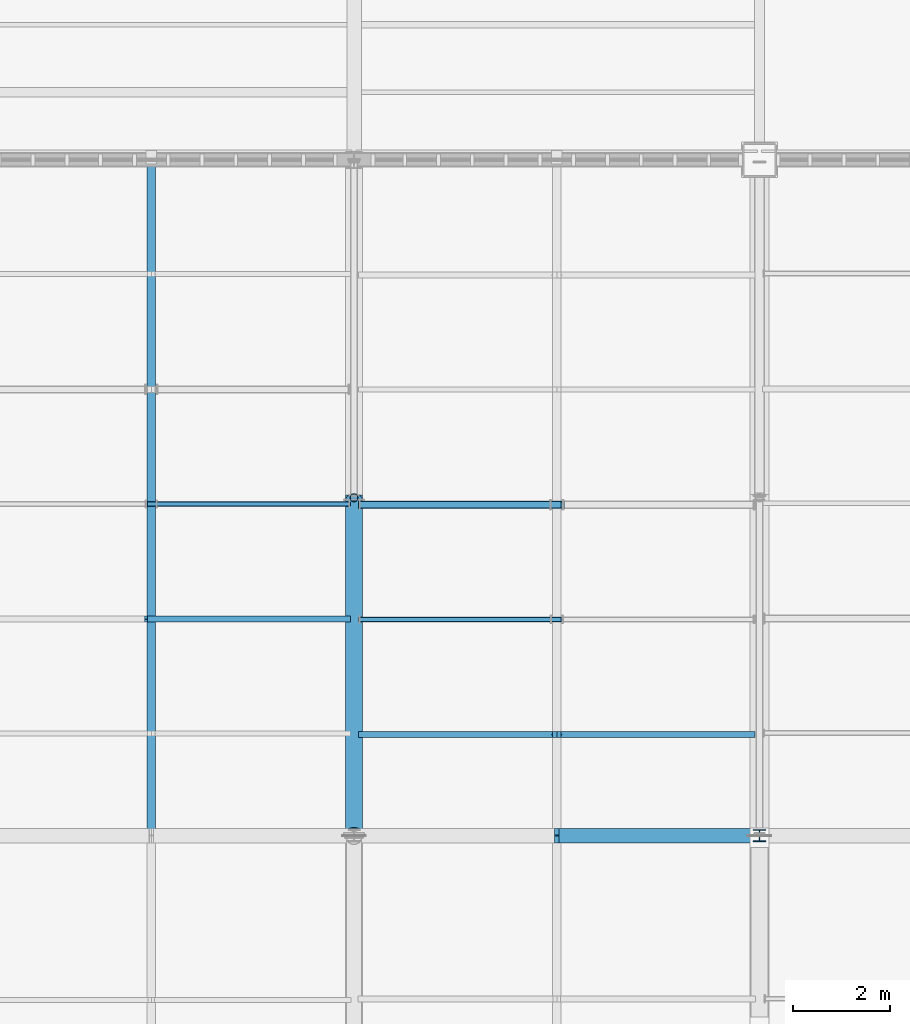
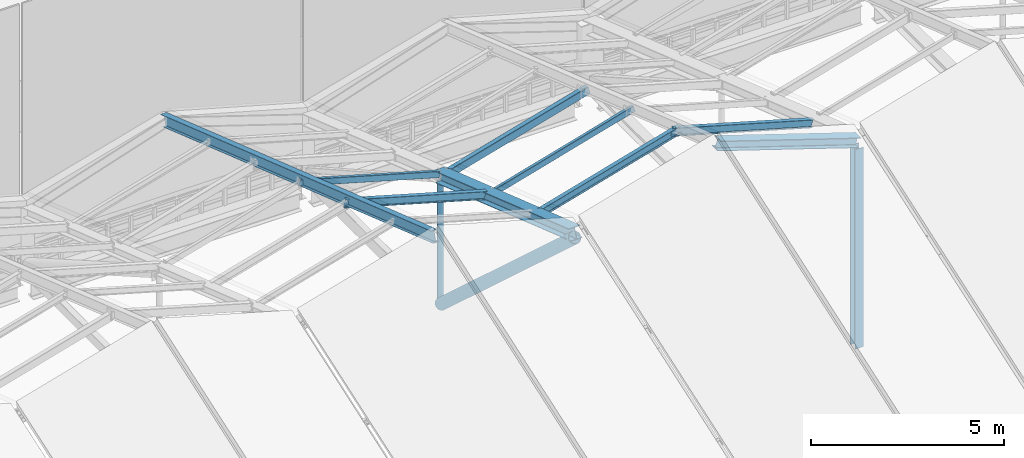
# One storey, part 28 of 77: 12 members.
"""IFC4 building model written with IfcOpenShell, lengths in metres."""

from ifc_helpers import new_model, si_unit, direction, frame, origin, origin_2d, place, context, subcontext, project, spatial, hollow_rectangle, hollow_circle, i_section, extrude, material, material_profile, profile_set, type_object, element, save


model = new_model("IFC4")

# Units and contexts
model_context = context("Model", 3, precision=1e-05, world=origin(), true_north=direction((0.0, 1.0)))
body_context = subcontext(model_context, "Body", "Model", "MODEL_VIEW")
ifc_project = project(units=[si_unit("LENGTHUNIT", "METRE"), si_unit("AREAUNIT", "SQUARE_METRE"), si_unit("VOLUMEUNIT", "CUBIC_METRE"), si_unit("PLANEANGLEUNIT", "RADIAN"), si_unit("MASSUNIT", "GRAM", prefix="KILO")], contexts=[model_context])

# Site, building, storey
site_placement = place(None, origin())
site = spatial("IfcSite", under=ifc_project, at=site_placement, CompositionType="ELEMENT")
building_placement = place(site_placement, origin())
building = spatial("IfcBuilding", under=site, at=building_placement, Name="Larkvane Passage Sports Hall", CompositionType="ELEMENT")
storey_placement = place(building_placement, frame((0.0, 0.0, 22.199951171875)))
storey = spatial("IfcBuildingStorey", under=building, at=storey_placement, Name="RF", CompositionType="ELEMENT", Elevation=22.199951171875)

# Members
ifc_material_1 = material(Name="Steel S460N", Category="steel")
ifc_material_profile_1 = material_profile(ifc_material_1, hollow_circle(Radius=0.177734375, WallThickness=0.0126953125, at=origin_2d()), Name="CHS-355.6x12.7")
ifc_profile_set_1 = profile_set([ifc_material_profile_1], Name="Steel S460N")
member_type_1 = type_object("IfcMemberType", Name="MBR-BR-CHS355", PredefinedType="BRACE", material=ifc_profile_set_1)
member_1_placement = place(storey_placement, frame((68.39990234375, 61.64990234375, 6.51513671875), z_axis=(0.0, 0.739818063532, -0.672806980397), x_axis=(-1.0, 0.0, 0.0)))
element("IfcMember", 1, at=member_1_placement, inside=storey, type_object=member_type_1, Name="Arena roof truss 5 web brace 5", PredefinedType="BRACE", context=body_context, shape_type="SweptSolid", body=[
    extrude(hollow_circle(Radius=0.177734375, WallThickness=0.0126953125, at=origin_2d()), origin(), (0.0, 0.0, 1.0), 9.326904296875),
])
ifc_material_profile_2 = material_profile(ifc_material_1, i_section(OverallWidth=0.300048828125, OverallDepth=0.300048828125, WebThickness=0.010009765625, FlangeThickness=0.014892578125, FilletRadius=0.012939453125, at=origin_2d()), Name="H-300x300x10x15")
ifc_profile_set_2 = profile_set([ifc_material_profile_2], Name="Steel S460N")
member_type_2 = type_object("IfcMemberType", Name="MBR-CH-H300", PredefinedType="CHORD", material=ifc_profile_set_2)
member_2_placement = place(storey_placement, frame((72.60009765625, 61.60009765625, 8.050048828125), z_axis=(0.950691943721, 0.0, -0.310136789407), x_axis=(0.0, 1.0, 0.0)))
element("IfcMember", 2, at=member_2_placement, inside=storey, type_object=member_type_2, Name="Arena roof fold tie 5-RIDGE-E", PredefinedType="CHORD", context=body_context, shape_type="SweptSolid", body=[
    extrude(i_section(OverallWidth=0.300048828125, OverallDepth=0.300048828125, WebThickness=0.010009765625, FlangeThickness=0.014892578125, FilletRadius=0.012939453125, at=origin_2d()), origin(), (0.0, 0.0, 1.0), 4.417724609375),
])
ifc_material_profile_3 = material_profile(ifc_material_1, i_section(OverallWidth=0.35009765625, OverallDepth=0.35009765625, WebThickness=0.011962890625, FlangeThickness=0.01904296875, FilletRadius=0.012939453125, at=origin_2d()), Name="H-350x350x12x19")
ifc_profile_set_3 = profile_set([ifc_material_profile_3], Name="Steel S460N")
member_type_3 = type_object("IfcMemberType", Name="MBR-CH-H350", PredefinedType="CHORD", material=ifc_profile_set_3)
member_3_placement = place(storey_placement, frame((68.39990234375, 61.60009765625, 6.679931640625), z_axis=(0.0, 0.945949994576, -0.324312515579), x_axis=(-1.0, 0.0, 0.0)))
element("IfcMember", 3, at=member_3_placement, inside=storey, type_object=member_type_3, Name="Arena roof truss 5 top chord 5", PredefinedType="CHORD", context=body_context, shape_type="SweptSolid", body=[
    extrude(i_section(OverallWidth=0.35009765625, OverallDepth=0.35009765625, WebThickness=0.011962890625, FlangeThickness=0.01904296875, FilletRadius=0.012939453125, at=origin_2d()), origin(), (0.0, 0.0, 1.0), 7.39990234375),
])
ifc_material_2 = material(Name="Steel S355JR", Category="steel")
ifc_material_profile_4 = material_profile(ifc_material_2, i_section(OverallWidth=0.125, OverallDepth=0.25, WebThickness=0.006103515625, FlangeThickness=0.009033203125, FilletRadius=0.008056640625, at=origin_2d()), Name="H-250x125x6x9")
ifc_profile_set_4 = profile_set([ifc_material_profile_4], Name="Steel S355JR")
member_type_4 = type_object("IfcMemberType", Name="MBR-PR-H250", PredefinedType="PURLIN", material=ifc_profile_set_4)
for number, where, z_axis, x_axis, name in (
    (4, (64.087890625, 66.08544921875, 6.42333984375), (0.96152605678, 0.0, -0.274713745804), (0.0, 1.0, 0.0), "Folded roof purlin FRP-B4-NE-2"),
    (5, (68.522705078125, 63.69287109375, 6.0029296875), (0.96152605678, 0.0, 0.274713745804), (0.0, 1.0, 0.0), "Folded roof purlin FRP-B5-NW-1"),
):
    element("IfcMember", number, at=place(storey_placement, frame(where, z_axis=z_axis, x_axis=x_axis)), inside=storey, type_object=member_type_4, Name=name, PredefinedType="PURLIN", context=body_context, shape_type="SweptSolid", body=[
        extrude(i_section(OverallWidth=0.125, OverallDepth=0.25, WebThickness=0.006103515625, FlangeThickness=0.009033203125, FilletRadius=0.008056640625, at=origin_2d()), origin(), (0.0, 0.0, 1.0), 4.367919921875),
    ])
member_4_placement = place(storey_placement, frame((72.477294921875, 63.69287109375, 7.202880859375), z_axis=(0.961530274547, 0.0, -0.27469898276), x_axis=(0.0, 1.0, 0.0)))
element("IfcMember", 6, at=member_4_placement, inside=storey, type_object=member_type_4, Name="Folded roof purlin FRP-B5-NE-1", PredefinedType="PURLIN", context=body_context, shape_type="SweptSolid", body=[
    extrude(i_section(OverallWidth=0.125, OverallDepth=0.25, WebThickness=0.006103515625, FlangeThickness=0.009033203125, FilletRadius=0.008056640625, at=origin_2d()), origin(), (0.0, 0.0, 1.0), 4.3681640625),
])
ifc_material_profile_5 = material_profile(ifc_material_2, hollow_rectangle(XDim=0.10009765625, YDim=0.199951171875, WallThickness=0.008056640625, InnerFilletRadius=0.008056640625, OuterFilletRadius=0.01611328125, at=origin_2d()), Name="RHS-200x100x8")
ifc_profile_set_5 = profile_set([ifc_material_profile_5], Name="Steel S355JR")
member_type_5 = type_object("IfcMemberType", Name="MBR-PR-RHS200", PredefinedType="PURLIN", material=ifc_profile_set_5)
member_5_placement = place(storey_placement, frame((64.09423828125, 68.47314453125, 5.630126953125), z_axis=(0.961530274547, 0.0, -0.27469898276), x_axis=(0.0, 1.0, 0.0)))
element("IfcMember", 7, at=member_5_placement, inside=storey, type_object=member_type_5, Name="Folded roof purlin FRP-B4-NE-3", PredefinedType="PURLIN", context=body_context, shape_type="SweptSolid", body=[
    extrude(hollow_rectangle(XDim=0.10009765625, YDim=0.199951171875, WallThickness=0.008056640625, InnerFilletRadius=0.008056640625, OuterFilletRadius=0.01611328125, at=origin_2d()), origin(), (0.0, 0.0, 1.0), 4.3681640625),
])
member_6_placement = place(storey_placement, frame((68.51611328125, 66.08056640625, 5.209716796875), z_axis=(0.96152605678, 0.0, 0.274713745804), x_axis=(0.0, 1.0, 0.0)))
element("IfcMember", 8, at=member_6_placement, inside=storey, type_object=member_type_5, Name="Folded roof purlin FRP-B5-NW-2", PredefinedType="PURLIN", context=body_context, shape_type="SweptSolid", body=[
    extrude(hollow_rectangle(XDim=0.10009765625, YDim=0.199951171875, WallThickness=0.008056640625, InnerFilletRadius=0.008056640625, OuterFilletRadius=0.01611328125, at=origin_2d()), origin(), (0.0, 0.0, 1.0), 4.367919921875),
])
ifc_material_profile_6 = material_profile(ifc_material_2, hollow_rectangle(XDim=0.14990234375, YDim=0.25, WallThickness=0.009033203125, InnerFilletRadius=0.009033203125, OuterFilletRadius=0.01806640625, at=origin_2d()), Name="RHS-250x150x9")
ifc_profile_set_6 = profile_set([ifc_material_profile_6], Name="Steel S355JR")
member_type_6 = type_object("IfcMemberType", Name="MBR-PR-RHS250", PredefinedType="PURLIN", material=ifc_profile_set_6)
member_7_placement = place(storey_placement, frame((68.522705078125, 68.452880859375, 4.370849609375), z_axis=(0.96152605678, 0.0, 0.274713745804), x_axis=(0.0, 1.0, 0.0)))
element("IfcMember", 9, at=member_7_placement, inside=storey, type_object=member_type_6, Name="Folded roof purlin FRP-B5-NW-3", PredefinedType="PURLIN", context=body_context, shape_type="SweptSolid", body=[
    extrude(hollow_rectangle(XDim=0.14990234375, YDim=0.25, WallThickness=0.009033203125, InnerFilletRadius=0.009033203125, OuterFilletRadius=0.01806640625, at=origin_2d()), origin(), (0.0, 0.0, 1.0), 4.367919921875),
])
ifc_material_profile_7 = material_profile(ifc_material_2, i_section(OverallWidth=0.175048828125, OverallDepth=0.35009765625, WebThickness=0.007080078125, FlangeThickness=0.010986328125, FilletRadius=0.012939453125, at=origin_2d()), Name="H-350x175x7x11")
ifc_profile_set_7 = profile_set([ifc_material_profile_7], Name="Steel S355JR")
member_type_7 = type_object("IfcMemberType", Name="MBR-RF-H350", PredefinedType="RAFTER", material=ifc_profile_set_7)
member_8_placement = place(storey_placement, frame((64.199951171875, 61.60009765625, 8.050048828125), z_axis=(0.0, 0.945944933771, -0.324327276487), x_axis=(-1.0, 0.0, 0.0)))
element("IfcMember", 10, at=member_8_placement, inside=storey, type_object=member_type_7, Name="Arena roof fold peak rafter 4-N", PredefinedType="RAFTER", context=body_context, shape_type="SweptSolid", body=[
    extrude(i_section(OverallWidth=0.175048828125, OverallDepth=0.35009765625, WebThickness=0.007080078125, FlangeThickness=0.010986328125, FilletRadius=0.012939453125, at=origin_2d()), origin(), (0.0, 0.0, 1.0), 14.800048828125),
])
ifc_material_profile_8 = material_profile(ifc_material_2, hollow_circle(Radius=0.08251953125, WallThickness=0.006103515625, at=origin_2d()), Name="CHS-165.2x6.0")
ifc_profile_set_8 = profile_set([ifc_material_profile_8], Name="Steel S355JR")
member_type_8 = type_object("IfcMemberType", Name="MBR-ST-CHS165", PredefinedType="STRUT", material=ifc_profile_set_8)
member_9_placement = place(storey_placement, frame((68.39990234375, 68.60009765625, 0.239990234375), z_axis=(0.0, 0.0, 1.0), x_axis=(1.0, 0.0, 0.0)))
element("IfcMember", 11, at=member_9_placement, inside=storey, type_object=member_type_8, Name="Arena roof truss 5 vertical strut 5", PredefinedType="STRUT", context=body_context, shape_type="SweptSolid", body=[
    extrude(hollow_circle(Radius=0.08251953125, WallThickness=0.006103515625, at=origin_2d()), origin(), (0.0, 0.0, 1.0), 3.875),
])
ifc_material_profile_9 = material_profile(ifc_material_2, i_section(OverallWidth=0.25, OverallDepth=0.25, WebThickness=0.009033203125, FlangeThickness=0.013916015625, FilletRadius=0.012939453125, at=origin_2d()), Name="H-250x250x9x14")
ifc_profile_set_9 = profile_set([ifc_material_profile_9], Name="Steel S355JR")
member_type_9 = type_object("IfcMemberType", Name="MBR-ST-H250", PredefinedType="STRUT", material=ifc_profile_set_9)
member_10_placement = place(storey_placement, frame((76.800048828125, 61.60009765625, 0.18994140625), z_axis=(0.0, 0.0, 1.0), x_axis=(1.0, 0.0, 0.0)))
element("IfcMember", 12, at=member_10_placement, inside=storey, type_object=member_type_9, Name="Arena roof truss 6 vertical strut 4", PredefinedType="STRUT", context=body_context, shape_type="SweptSolid", body=[
    extrude(i_section(OverallWidth=0.25, OverallDepth=0.25, WebThickness=0.009033203125, FlangeThickness=0.013916015625, FilletRadius=0.012939453125, at=origin_2d()), origin(), (0.0, 0.0, 1.0), 6.300048828125),
])

save(model, "model.ifc")
